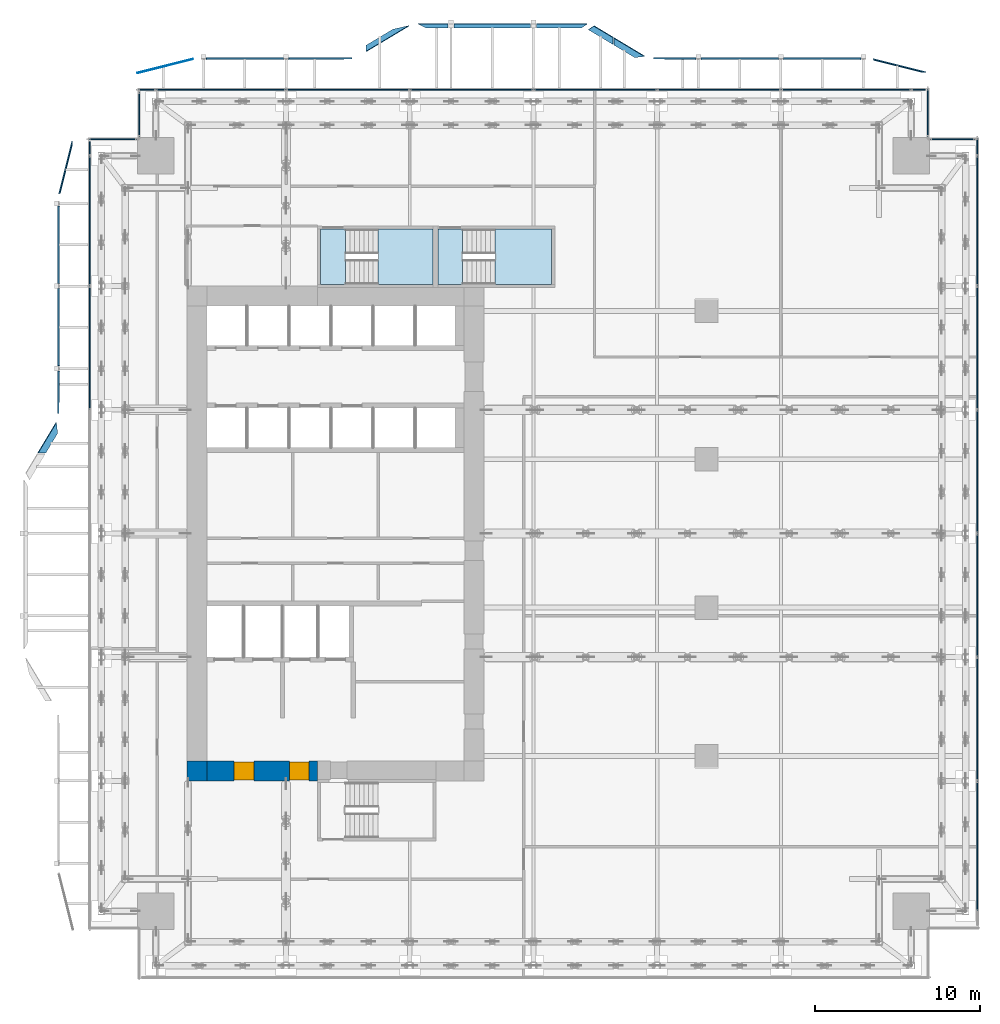
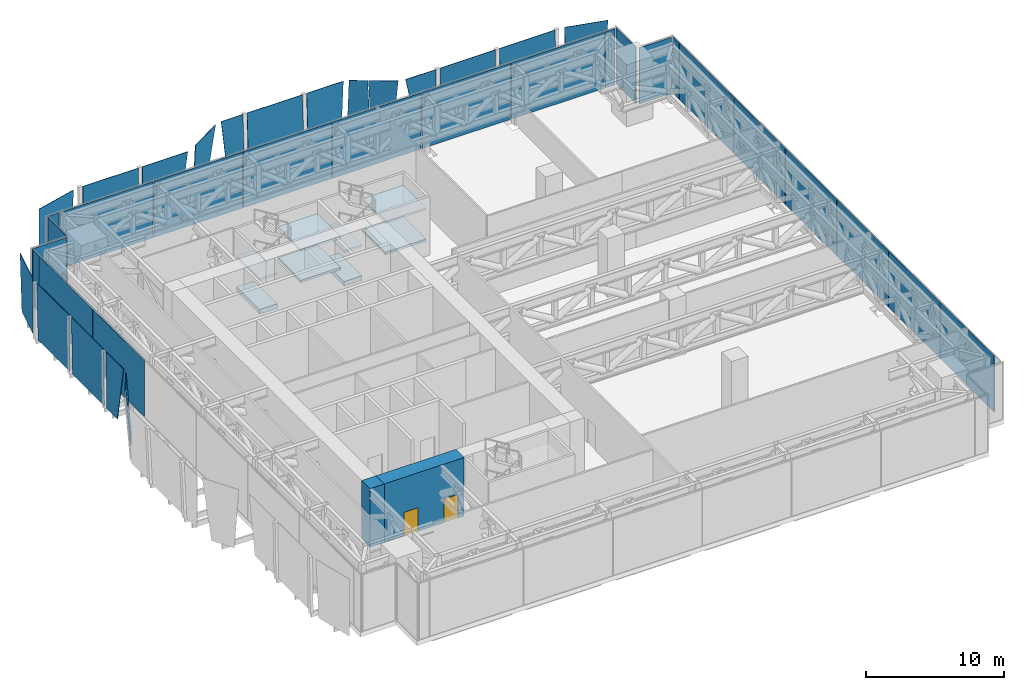
# One storey, part 29 of 39: 40 plates, 8 slabs, 2 doors, 2 walls, 2 openings, 9 elements without a shape of their own.
"""IFC4 building model written with IfcOpenShell, lengths in metres."""

from ifc_helpers import new_model, si_unit, direction, frame, frame_2d, origin, origin_2d, place, context, subcontext, project, spatial, polyline, rectangle, outline, extrude, source, transform, mapped, material, layer, layer_set, type_object, element, fill, aggregate, save


model = new_model("IFC4")

# Units and contexts
model_context = context("Model", 3, precision=1e-05, world=origin(), true_north=direction((0.0, 1.0)))
body_context = subcontext(model_context, "Body", "Model", "MODEL_VIEW")
ifc_project = project(units=[si_unit("LENGTHUNIT", "METRE"), si_unit("AREAUNIT", "SQUARE_METRE"), si_unit("VOLUMEUNIT", "CUBIC_METRE"), si_unit("PLANEANGLEUNIT", "RADIAN"), si_unit("MASSUNIT", "GRAM", prefix="KILO")], contexts=[model_context])

# Site, building, storey
site_placement = place(None, origin())
site = spatial("IfcSite", under=ifc_project, at=site_placement, CompositionType="ELEMENT")
building_placement = place(site_placement, origin())
building = spatial("IfcBuilding", under=site, at=building_placement, Name="Khomas Fold Tower", CompositionType="ELEMENT")
storey_placement = place(building_placement, frame((0.0, 0.0, 96.0)))
storey = spatial("IfcBuildingStorey", under=building, at=storey_placement, Name="L20", CompositionType="ELEMENT", Elevation=96.0)

# Plates
ifc_material_1 = material(Name="Clear laminated glass", Category="glass")
ifc_layer_1 = layer(ifc_material_1, 0.0400390625)
ifc_layer_set_1 = layer_set([ifc_layer_1], Name="Clear laminated glass")
plate_type_1 = type_object("IfcPlateType", Name="SK-Clear laminated glass leaf", PredefinedType="SHEET", material=ifc_layer_set_1)
plate_1_placement = place(storey_placement, frame((6.110595703125, 55.677734375, 0.0), z_axis=(0.242595764468, -0.970127463298, 4.183564e-06), x_axis=(-0.970127463306, -0.24259576447, 2.8e-11)))
element("IfcPlate", 1, at=plate_1_placement, inside=storey, type_object=plate_type_1, Name="OUTER SKIN glass L20 NG098-1", PredefinedType="SHEET", context=body_context, shape_type="SweptSolid", body=[
    extrude(outline(polyline([(0.0, 0.0), (3.20637307509464, 0.0), (3.20637307523385, -5.050048828080807), (-0.27356313476065447, -5.050048828265122), (0.0, 0.0)])), origin(), (0.0, 0.0, -1.0), 0.0400390625),
])
plate_2_placement = place(storey_placement, frame((7.169921875, 55.727783203125, 0.0), z_axis=(0.0, -0.999913554887, 0.013148488612), x_axis=(0.0, 0.013148488612, 0.999913554887)))
element("IfcPlate", 2, at=plate_2_placement, inside=storey, type_object=plate_type_1, Name="OUTER SKIN glass L20 NG099-3", PredefinedType="SHEET", context=body_context, shape_type="SweptSolid", body=[
    extrude(outline(polyline([(0.0, 0.0), (5.050485417906456, 0.0), (5.050485417906456, -4.66015625), (0.0, -4.66015625), (0.0, 0.0)])), origin(), (0.0, 0.0, -1.0), 0.0400390625),
])
plate_3_placement = place(storey_placement, frame((15.27978515625, 55.727783203125, 0.0), z_axis=(0.0, -0.999913554887, 0.013148488612), x_axis=(-1.0, 0.0, 0.0)))
element("IfcPlate", 3, at=plate_3_placement, inside=storey, type_object=plate_type_1, Name="OUTER SKIN glass L20 NG100-5", PredefinedType="SHEET", context=body_context, shape_type="SweptSolid", body=[
    extrude(outline(polyline([(0.0, 0.0), (3.10986328125, 0.0), (3.10986328125, -5.050485417906455), (-0.7119140625, -5.050485417906455), (0.0, 0.0)])), origin(), (0.0, 0.0, -1.0), 0.0400390625),
])
plate_4_placement = place(storey_placement, frame((18.4765625, 57.571044921875, 0.00244140625), z_axis=(-0.513467584892, 0.85592770919, 0.061145694088), x_axis=(-0.857532344545, -0.514430051663, -2.064942e-06)))
element("IfcPlate", 4, at=plate_4_placement, inside=storey, type_object=plate_type_1, Name="OUTER SKIN glass L20 NG101-6", PredefinedType="SHEET", context=body_context, shape_type="SweptSolid", body=[
    extrude(outline(polyline([(0.0, 0.0), (1.897496197007953, 0.0), (2.083112628410441, 5.059520243617111), (-0.9455791857957416, 5.059510052253078), (0.0, 0.0)])), origin(), (0.0, 0.0, -1.0), 0.0400390625),
])
plate_5_placement = place(storey_placement, frame((20.457763671875, 57.6591796875, 0.0), z_axis=(0.0, -0.999042164286, 0.043757901902), x_axis=(-0.090428052665, 0.04357862538, 0.994949079451)))
element("IfcPlate", 5, at=plate_5_placement, inside=storey, type_object=plate_type_1, Name="OUTER SKIN glass L20 NG101-7", PredefinedType="SHEET", context=body_context, shape_type="SweptSolid", body=[
    extrude(outline(polyline([(0.0, 0.0), (5.075685713392791, 5.551115123125783e-17), (4.910084926518354, -1.8237959801684416), (-0.12409572363967629, -1.3666920683277977), (0.0, 0.0)])), origin(), (0.0, 0.0, -1.0), 0.0400390625),
])
plate_6_placement = place(storey_placement, frame((22.169921875, 57.6591796875, 0.0), z_axis=(0.0, -0.999042164286, 0.043757901902), x_axis=(0.0, 0.043757901902, 0.999042164286)))
element("IfcPlate", 6, at=plate_6_placement, inside=storey, type_object=plate_type_1, Name="OUTER SKIN glass L20 NG102-9", PredefinedType="SHEET", context=body_context, shape_type="SweptSolid", body=[
    extrude(outline(polyline([(0.0, 0.0), (5.054890582855927, 0.0), (5.054890582855927, -4.660156249999999), (0.0, -4.660156249999999), (0.0, 0.0)])), origin(), (0.0, 0.0, -1.0), 0.0400390625),
])
plate_7_placement = place(storey_placement, frame((29.925048828125, 57.6591796875, 0.0), z_axis=(0.0, -0.999042164286, 0.043757901902), x_axis=(-1.0, 0.0, 0.0)))
element("IfcPlate", 7, at=plate_7_placement, inside=storey, type_object=plate_type_1, Name="OUTER SKIN glass L20 NG103-11", PredefinedType="SHEET", context=body_context, shape_type="SweptSolid", body=[
    extrude(outline(polyline([(0.0, 0.0), (2.755126953125, 0.0), (2.755126953125, -5.054890582855927), (-0.332275390625, -5.054890582855927), (0.0, 0.0)])), origin(), (0.0, 0.0, -1.0), 0.0400390625),
])
plate_8_placement = place(storey_placement, frame((30.325927734375, 57.538818359375, 0.0), z_axis=(-0.513154961352, -0.855336303433, 0.071216526658), x_axis=(0.06558633584, 0.043654406503, 0.996891531383)))
element("IfcPlate", 8, at=plate_8_placement, inside=storey, type_object=plate_type_1, Name="OUTER SKIN glass L20 NG103-12", PredefinedType="SHEET", context=body_context, shape_type="SweptSolid", body=[
    extrude(outline(polyline([(0.0, 0.0), (5.065799614754816, -5.551115123125783e-17), (5.111964097494814, -1.3658494129196121), (0.05926043180535483, -1.7530490121480193), (0.0, 0.0)])), origin(), (0.0, 0.0, -1.0), 0.0400390625),
])
plate_9_placement = place(storey_placement, frame((33.14306640625, 55.8486328125, 0.0), z_axis=(-0.513208805666, -0.855303621897, 0.071221037326), x_axis=(-0.857481352894, 0.514515042936, -5.633946e-06)))
element("IfcPlate", 9, at=plate_9_placement, inside=storey, type_object=plate_type_1, Name="OUTER SKIN glass L20 NG104-13", PredefinedType="SHEET", context=body_context, shape_type="SweptSolid", body=[
    extrude(outline(polyline([(0.0, 0.0), (1.4844508858136767, -6.938893903907228e-18), (1.7008553977315604, -5.06291539306736), (-0.47218575996703405, -5.062894734495128), (0.0, 0.0)])), origin(), (0.0, 0.0, -1.0), 0.0400390625),
])
plate_10_placement = place(storey_placement, frame((35.26806640625, 55.727783203125, 0.0), z_axis=(0.0, -0.999913554887, 0.013148488612), x_axis=(-0.192129710305, 0.012903526223, 0.981284705592)))
element("IfcPlate", 10, at=plate_10_placement, inside=storey, type_object=plate_type_1, Name="OUTER SKIN glass L20 NG104-14", PredefinedType="SHEET", context=body_context, shape_type="SweptSolid", body=[
    extrude(outline(polyline([(0.0, 0.0), (5.146364555918488, 0.0), (4.65628369330582, -2.5032590224450177), (-0.300108859015682, -1.5329107222055154), (0.0, 0.0)])), origin(), (0.0, 0.0, -1.0), 0.0400390625),
])
for number, where, z_axis, x_axis, name in (
    (11, (37.169921875, 55.727783203125, 0.0), (0.0, -0.999913554887, 0.013148488612), (0.0, 0.013148488612, 0.999913554887), "OUTER SKIN glass L20 NG105-16"),
    (12, (42.169921875, 55.727783203125, 0.0), (0.0, -0.999913554887, 0.013148488612), (0.0, 0.013148488612, 0.999913554887), "OUTER SKIN glass L20 NG106-18"),
):
    element("IfcPlate", number, at=place(storey_placement, frame(where, z_axis=z_axis, x_axis=x_axis)), inside=storey, type_object=plate_type_1, Name=name, PredefinedType="SHEET", context=body_context, shape_type="SweptSolid", body=[
        extrude(outline(polyline([(0.0, 0.0), (5.050485417906456, 0.0), (5.050485417906456, -4.66015625), (0.0, -4.66015625), (0.0, 0.0)])), origin(), (0.0, 0.0, -1.0), 0.0400390625),
    ])
plate_11_placement = place(storey_placement, frame((50.5107421875, 54.949951171875, 0.0), z_axis=(-0.242561682391, -0.970052182178, 0.012751238635), x_axis=(-0.970131054475, 0.242581403127, -9.8389e-08)))
element("IfcPlate", 13, at=plate_11_placement, inside=storey, type_object=plate_type_1, Name="OUTER SKIN glass L20 NG107-20", PredefinedType="SHEET", context=body_context, shape_type="SweptSolid", body=[
    extrude(outline(polyline([(0.0, 0.0), (3.000253318890006, -1.734723475976807e-18), (3.0163617433234204, -5.050459729035773), (-0.25745470981095847, -5.050459111687721), (0.0, 0.0)])), origin(), (0.0, 0.0, -1.0), 0.0400390625),
])
plate_12_placement = place(storey_placement, frame((-1.8486328125, 33.07373046875, 0.0), z_axis=(0.854851437268, -0.513033597671, 0.077624402492), x_axis=(-0.514586497345, -0.857438474025, 3.371918e-06)))
element("IfcPlate", 14, at=plate_12_placement, inside=storey, type_object=plate_type_1, Name="OUTER SKIN glass L20 WG104-13", PredefinedType="SHEET", context=body_context, shape_type="SweptSolid", body=[
    extrude(outline(polyline([(0.0, 0.0), (1.403767852194478, 1.3877787807814457e-17), (1.6397207794727828, -5.065327042434789), (-0.5262025194262356, -5.065339115568225), (0.0, 0.0)])), origin(), (0.0, 0.0, -1.0), 0.0400390625),
])
plate_13_placement = place(storey_placement, frame((-1.727783203125, 35.26806640625, 0.0), z_axis=(0.999913554887, 0.0, 0.013148488612), x_axis=(-0.012903526223, -0.192129710305, 0.981284705592)))
element("IfcPlate", 15, at=plate_13_placement, inside=storey, type_object=plate_type_1, Name="OUTER SKIN glass L20 WG104-14", PredefinedType="SHEET", context=body_context, shape_type="SweptSolid", body=[
    extrude(outline(polyline([(0.0, 0.0), (5.146364555918488, 0.0), (4.65628369330582, -2.5032590224450177), (-0.300108859015682, -1.5329107222055154), (0.0, 0.0)])), origin(), (0.0, 0.0, -1.0), 0.0400390625),
])
for number, where, z_axis, x_axis, name in (
    (16, (-1.727783203125, 37.169921875, 0.0), (0.999913554887, 0.0, 0.013148488612), (-0.013148488612, 0.0, 0.999913554887), "OUTER SKIN glass L20 WG105-16"),
    (17, (-1.727783203125, 42.169921875, 0.0), (0.999913554887, 0.0, 0.013148488612), (-0.013148488612, 0.0, 0.999913554887), "OUTER SKIN glass L20 WG106-18"),
):
    element("IfcPlate", number, at=place(storey_placement, frame(where, z_axis=z_axis, x_axis=x_axis)), inside=storey, type_object=plate_type_1, Name=name, PredefinedType="SHEET", context=body_context, shape_type="SweptSolid", body=[
        extrude(outline(polyline([(0.0, 0.0), (5.050485417906456, 0.0), (5.050485417906456, -4.66015625), (0.0, -4.66015625), (0.0, 0.0)])), origin(), (0.0, 0.0, -1.0), 0.0400390625),
    ])
plate_14_placement = place(storey_placement, frame((-0.949951171875, 50.5107421875, 0.0), z_axis=(0.970052182178, -0.242561682391, 0.012751238635), x_axis=(-0.242581403127, -0.970131054475, -9.8389e-08)))
element("IfcPlate", 18, at=plate_14_placement, inside=storey, type_object=plate_type_1, Name="OUTER SKIN glass L20 WG107-20", PredefinedType="SHEET", context=body_context, shape_type="SweptSolid", body=[
    extrude(outline(polyline([(0.0, 0.0), (3.000253318890006, -1.734723475976807e-18), (3.0163617433234204, -5.050459729035773), (-0.25745470981095847, -5.050459111687721), (0.0, 0.0)])), origin(), (0.0, 0.0, -1.0), 0.0400390625),
])

# Curtain wall, plate
ifc_material_2 = material(Name="Aluminium framed double glazing", Category="aluminium")
curtain_wall_type = type_object("IfcCurtainWallType", Name="SK-Plant louvre wall CW4", PredefinedType="NOTDEFINED", material=ifc_material_2)
curtain_wall_1_placement = place(storey_placement, origin())
curtain_wall_1 = element("IfcCurtainWall", 19, at=curtain_wall_1_placement, inside=storey, type_object=curtain_wall_type, Name="CW4 run L20 06-0", PredefinedType="NOTDEFINED")
ifc_material_3 = material(Name="Aluminium louvre blades", Category="aluminium")
ifc_layer_2 = layer(ifc_material_3, 0.080078125)
ifc_layer_set_2 = layer_set([ifc_layer_2], Name="Aluminium louvre blades")
plate_type_2 = type_object("IfcPlateType", Name="SK-Plant louvre wall louvre panel CW4-P", PredefinedType="CURTAIN_PANEL", material=ifc_layer_set_2)
shared_shape_1 = source(origin(), body_context, "Body", "SweptSolid", [
    extrude(rectangle(XDim=0.81005859375, YDim=0.080078125, at=origin_2d()), origin(), (0.0, 0.0, 1.0), 4.97998046875),
])
plate_15_placement = place(storey_placement, frame((50.3349609375, 53.89990234375, 0.0), z_axis=(0.0, 0.0, 1.0), x_axis=(-1.0, 0.0, 0.0)))
plate_15 = element("IfcPlate", 20, at=plate_15_placement, type_object=plate_type_2, Name="CW4 louvre panel 1", PredefinedType="CURTAIN_PANEL", context=body_context, shape_type="MappedRepresentation", body=[
    mapped(shared_shape_1, transform((0.0, 0.0, 0.0))),
])

curtain_wall_2_placement = place(storey_placement, origin())
curtain_wall_2 = element("IfcCurtainWall", 21, at=curtain_wall_2_placement, inside=storey, type_object=curtain_wall_type, Name="CW4 run L20 09-0", PredefinedType="NOTDEFINED")
plate_16_placement = place(storey_placement, frame((0.10009765625, 50.3349609375, 0.0), z_axis=(0.0, 0.0, 1.0), x_axis=(0.0, -1.0, 0.0)))
plate_16 = element("IfcPlate", 22, at=plate_16_placement, type_object=plate_type_2, Name="CW4 louvre panel 1", PredefinedType="CURTAIN_PANEL", context=body_context, shape_type="MappedRepresentation", body=[
    mapped(shared_shape_1, transform((0.0, 0.0, 0.0))),
])

# Curtain wall, plates
curtain_wall_3_placement = place(storey_placement, origin())
curtain_wall_3 = element("IfcCurtainWall", 23, at=curtain_wall_3_placement, inside=storey, type_object=curtain_wall_type, Name="CW4 run L20 03-0", PredefinedType="NOTDEFINED")
shared_shape_2 = source(origin(), body_context, "Body", "SweptSolid", [
    extrude(rectangle(XDim=7.840087890625, YDim=0.080078125, at=origin_2d()), origin(), (0.0, 0.0, 1.0), 4.97998046875),
])
plate_17_placement = place(storey_placement, frame((53.89990234375, 8.050048828125, 0.0), z_axis=(0.0, 0.0, 1.0), x_axis=(0.0, 1.0, 0.0)))
plate_17 = element("IfcPlate", 24, at=plate_17_placement, type_object=plate_type_2, Name="CW4 louvre panel 2", PredefinedType="CURTAIN_PANEL", context=body_context, shape_type="MappedRepresentation", body=[
    mapped(shared_shape_2, transform((0.0, 0.0, 0.0))),
])
plate_18_placement = place(storey_placement, frame((53.89990234375, 45.949951171875, 0.0), z_axis=(0.0, 0.0, 1.0), x_axis=(0.0, 1.0, 0.0)))
plate_18 = element("IfcPlate", 25, at=plate_18_placement, type_object=plate_type_2, Name="CW4 louvre panel 7", PredefinedType="CURTAIN_PANEL", context=body_context, shape_type="MappedRepresentation", body=[
    mapped(shared_shape_2, transform((0.0, 0.0, 0.0))),
])

# Plate
plate_19_placement = place(storey_placement, frame((45.949951171875, 53.89990234375, 0.0), z_axis=(0.0, 0.0, 1.0), x_axis=(-1.0, 0.0, 0.0)))
plate_19 = element("IfcPlate", 26, at=plate_19_placement, type_object=plate_type_2, Name="CW4 louvre panel 2", PredefinedType="CURTAIN_PANEL", context=body_context, shape_type="MappedRepresentation", body=[
    mapped(shared_shape_2, transform((0.0, 0.0, 0.0))),
])

plate_20_placement = place(storey_placement, frame((8.050048828125, 53.89990234375, 0.0), z_axis=(0.0, 0.0, 1.0), x_axis=(-1.0, 0.0, 0.0)))
plate_20 = element("IfcPlate", 27, at=plate_20_placement, type_object=plate_type_2, Name="CW4 louvre panel 7", PredefinedType="CURTAIN_PANEL", context=body_context, shape_type="MappedRepresentation", body=[
    mapped(shared_shape_2, transform((0.0, 0.0, 0.0))),
])

plate_21_placement = place(storey_placement, frame((0.10009765625, 45.949951171875, 0.0), z_axis=(0.0, 0.0, 1.0), x_axis=(0.0, -1.0, 0.0)))
plate_21 = element("IfcPlate", 28, at=plate_21_placement, type_object=plate_type_2, Name="CW4 louvre panel 2", PredefinedType="CURTAIN_PANEL", context=body_context, shape_type="MappedRepresentation", body=[
    mapped(shared_shape_2, transform((0.0, 0.0, 0.0))),
])

shared_shape_3 = source(origin(), body_context, "Body", "SweptSolid", [
    extrude(rectangle(XDim=7.43994140625, YDim=0.080078125, at=origin_2d()), origin(), (0.0, 0.0, 1.0), 4.97998046875),
])
plate_22_placement = place(storey_placement, frame((53.89990234375, 15.75, 0.0), z_axis=(0.0, 0.0, 1.0), x_axis=(0.0, 1.0, 0.0)))
plate_22 = element("IfcPlate", 29, at=plate_22_placement, type_object=plate_type_2, Name="CW4 louvre panel 3", PredefinedType="CURTAIN_PANEL", context=body_context, shape_type="MappedRepresentation", body=[
    mapped(shared_shape_3, transform((0.0, 0.0, 0.0))),
])

plate_23_placement = place(storey_placement, frame((53.89990234375, 23.25, 0.0), z_axis=(0.0, 0.0, 1.0), x_axis=(0.0, 1.0, 0.0)))
plate_23 = element("IfcPlate", 30, at=plate_23_placement, type_object=plate_type_2, Name="CW4 louvre panel 4", PredefinedType="CURTAIN_PANEL", context=body_context, shape_type="MappedRepresentation", body=[
    mapped(shared_shape_3, transform((0.0, 0.0, 0.0))),
])

plate_24_placement = place(storey_placement, frame((53.89990234375, 30.75, 0.0), z_axis=(0.0, 0.0, 1.0), x_axis=(0.0, 1.0, 0.0)))
plate_24 = element("IfcPlate", 31, at=plate_24_placement, type_object=plate_type_2, Name="CW4 louvre panel 5", PredefinedType="CURTAIN_PANEL", context=body_context, shape_type="MappedRepresentation", body=[
    mapped(shared_shape_3, transform((0.0, 0.0, 0.0))),
])

plate_25_placement = place(storey_placement, frame((53.89990234375, 38.25, 0.0), z_axis=(0.0, 0.0, 1.0), x_axis=(0.0, 1.0, 0.0)))
plate_25 = element("IfcPlate", 32, at=plate_25_placement, type_object=plate_type_2, Name="CW4 louvre panel 6", PredefinedType="CURTAIN_PANEL", context=body_context, shape_type="MappedRepresentation", body=[
    mapped(shared_shape_3, transform((0.0, 0.0, 0.0))),
])

plate_26_placement = place(storey_placement, frame((38.25, 53.89990234375, 0.0), z_axis=(0.0, 0.0, 1.0), x_axis=(-1.0, 0.0, 0.0)))
plate_26 = element("IfcPlate", 33, at=plate_26_placement, type_object=plate_type_2, Name="CW4 louvre panel 3", PredefinedType="CURTAIN_PANEL", context=body_context, shape_type="MappedRepresentation", body=[
    mapped(shared_shape_3, transform((0.0, 0.0, 0.0))),
])

plate_27_placement = place(storey_placement, frame((30.75, 53.89990234375, 0.0), z_axis=(0.0, 0.0, 1.0), x_axis=(-1.0, 0.0, 0.0)))
plate_27 = element("IfcPlate", 34, at=plate_27_placement, type_object=plate_type_2, Name="CW4 louvre panel 4", PredefinedType="CURTAIN_PANEL", context=body_context, shape_type="MappedRepresentation", body=[
    mapped(shared_shape_3, transform((0.0, 0.0, 0.0))),
])

plate_28_placement = place(storey_placement, frame((23.25, 53.89990234375, 0.0), z_axis=(0.0, 0.0, 1.0), x_axis=(-1.0, 0.0, 0.0)))
plate_28 = element("IfcPlate", 35, at=plate_28_placement, type_object=plate_type_2, Name="CW4 louvre panel 5", PredefinedType="CURTAIN_PANEL", context=body_context, shape_type="MappedRepresentation", body=[
    mapped(shared_shape_3, transform((0.0, 0.0, 0.0))),
])

plate_29_placement = place(storey_placement, frame((15.75, 53.89990234375, 0.0), z_axis=(0.0, 0.0, 1.0), x_axis=(-1.0, 0.0, 0.0)))
plate_29 = element("IfcPlate", 36, at=plate_29_placement, type_object=plate_type_2, Name="CW4 louvre panel 6", PredefinedType="CURTAIN_PANEL", context=body_context, shape_type="MappedRepresentation", body=[
    mapped(shared_shape_3, transform((0.0, 0.0, 0.0))),
])

plate_30_placement = place(storey_placement, frame((0.10009765625, 38.25, 0.0), z_axis=(0.0, 0.0, 1.0), x_axis=(0.0, -1.0, 0.0)))
plate_30 = element("IfcPlate", 37, at=plate_30_placement, type_object=plate_type_2, Name="CW4 louvre panel 3", PredefinedType="CURTAIN_PANEL", context=body_context, shape_type="MappedRepresentation", body=[
    mapped(shared_shape_3, transform((0.0, 0.0, 0.0))),
])

aggregate(curtain_wall_2, [plate_16, plate_21, plate_30])

shared_shape_4 = source(origin(), body_context, "Body", "SweptSolid", [
    extrude(rectangle(XDim=1.010009765625, YDim=0.080078125, at=origin_2d()), origin(), (0.0, 0.0, 1.0), 4.97998046875),
])
plate_31_placement = place(storey_placement, frame((53.89990234375, 50.43505859375, 0.0), z_axis=(0.0, 0.0, 1.0), x_axis=(0.0, 1.0, 0.0)))
plate_31 = element("IfcPlate", 38, at=plate_31_placement, type_object=plate_type_2, Name="CW4 louvre panel 8", PredefinedType="CURTAIN_PANEL", context=body_context, shape_type="MappedRepresentation", body=[
    mapped(shared_shape_4, transform((0.0, 0.0, 0.0))),
])

aggregate(curtain_wall_3, [plate_17, plate_22, plate_23, plate_24, plate_25, plate_18, plate_31])

plate_32_placement = place(storey_placement, frame((3.56494140625, 53.89990234375, 0.0), z_axis=(0.0, 0.0, 1.0), x_axis=(-1.0, 0.0, 0.0)))
plate_32 = element("IfcPlate", 39, at=plate_32_placement, type_object=plate_type_2, Name="CW4 louvre panel 8", PredefinedType="CURTAIN_PANEL", context=body_context, shape_type="MappedRepresentation", body=[
    mapped(shared_shape_4, transform((0.0, 0.0, 0.0))),
])

aggregate(curtain_wall_1, [plate_15, plate_19, plate_26, plate_27, plate_28, plate_29, plate_20, plate_32])

# Curtain wall, plate
curtain_wall_4_placement = place(storey_placement, origin())
curtain_wall_4 = element("IfcCurtainWall", 40, at=curtain_wall_4_placement, inside=storey, type_object=curtain_wall_type, Name="CW4 corner return L20 04", PredefinedType="NOTDEFINED")
shared_shape_5 = source(origin(), body_context, "Body", "SweptSolid", [
    extrude(rectangle(XDim=2.679931640625, YDim=0.080078125, at=origin_2d()), origin(), (0.0, 0.0, 1.0), 4.97998046875),
])
plate_33_placement = place(storey_placement, frame((52.39990234375, 50.89990234375, 0.0), z_axis=(0.0, 0.0, 1.0), x_axis=(-1.0, 0.0, 0.0)))
plate_33 = element("IfcPlate", 41, at=plate_33_placement, type_object=plate_type_2, Name="CW4 louvre panel 1", PredefinedType="CURTAIN_PANEL", context=body_context, shape_type="MappedRepresentation", body=[
    mapped(shared_shape_5, transform((0.0, 0.0, 0.0))),
])
aggregate(curtain_wall_4, [plate_33])

curtain_wall_5_placement = place(storey_placement, origin())
curtain_wall_5 = element("IfcCurtainWall", 42, at=curtain_wall_5_placement, inside=storey, type_object=curtain_wall_type, Name="CW4 corner return L20 07", PredefinedType="NOTDEFINED")
plate_34_placement = place(storey_placement, frame((3.10009765625, 52.39990234375, 0.0), z_axis=(0.0, 0.0, 1.0), x_axis=(0.0, -1.0, 0.0)))
plate_34 = element("IfcPlate", 43, at=plate_34_placement, type_object=plate_type_2, Name="CW4 louvre panel 1", PredefinedType="CURTAIN_PANEL", context=body_context, shape_type="MappedRepresentation", body=[
    mapped(shared_shape_5, transform((0.0, 0.0, 0.0))),
])
aggregate(curtain_wall_5, [plate_34])

curtain_wall_6_placement = place(storey_placement, origin())
curtain_wall_6 = element("IfcCurtainWall", 44, at=curtain_wall_6_placement, inside=storey, type_object=curtain_wall_type, Name="CW4 corner return L20 05", PredefinedType="NOTDEFINED")
shared_shape_6 = source(origin(), body_context, "Body", "SweptSolid", [
    extrude(rectangle(XDim=2.8798828125, YDim=0.080078125, at=origin_2d()), origin(), (0.0, 0.0, 1.0), 4.97998046875),
])
plate_35_placement = place(storey_placement, frame((50.89990234375, 52.5, 0.0), z_axis=(0.0, 0.0, 1.0), x_axis=(0.0, 1.0, 0.0)))
plate_35 = element("IfcPlate", 45, at=plate_35_placement, type_object=plate_type_2, Name="CW4 louvre panel 1", PredefinedType="CURTAIN_PANEL", context=body_context, shape_type="MappedRepresentation", body=[
    mapped(shared_shape_6, transform((0.0, 0.0, 0.0))),
])
aggregate(curtain_wall_6, [plate_35])

curtain_wall_7_placement = place(storey_placement, origin())
curtain_wall_7 = element("IfcCurtainWall", 46, at=curtain_wall_7_placement, inside=storey, type_object=curtain_wall_type, Name="CW4 corner return L20 08", PredefinedType="NOTDEFINED")
plate_36_placement = place(storey_placement, frame((1.5, 50.89990234375, 0.0), z_axis=(0.0, 0.0, 1.0), x_axis=(-1.0, 0.0, 0.0)))
plate_36 = element("IfcPlate", 47, at=plate_36_placement, type_object=plate_type_2, Name="CW4 louvre panel 1", PredefinedType="CURTAIN_PANEL", context=body_context, shape_type="MappedRepresentation", body=[
    mapped(shared_shape_6, transform((0.0, 0.0, 0.0))),
])
aggregate(curtain_wall_7, [plate_36])

# Stair, slabs
ifc_material_4 = material(Name="Concrete C40/50", Category="concrete")
stair_type_1 = type_object("IfcStairType", Name="Stair ST1", PredefinedType="HALF_TURN_STAIR", material=ifc_material_4)
stair_1_placement = place(storey_placement, origin())
stair_1 = element("IfcStair", 48, at=stair_1_placement, inside=storey, type_object=stair_type_1, Name="L20 ST1", PredefinedType="HALF_TURN_STAIR")
ifc_material_5 = material(Name="Concrete C40/50", Category="concrete")
ifc_layer_3 = layer(ifc_material_5, 0.199951171875)
ifc_layer_set_3 = layer_set([ifc_layer_3], Name="Concrete C40/50")
slab_type_1 = type_object("IfcSlabType", Name="Stair landing 200", PredefinedType="LANDING", material=ifc_layer_set_3)
shared_shape_7 = source(origin(), body_context, "Body", "SweptSolid", [
    extrude(outline(polyline([(14.10009765625, 42.10009765625), (15.60009765625, 42.10009765625), (15.60009765625, 45.449951171875), (14.10009765625, 45.449951171875), (14.10009765625, 42.10009765625)])), origin(), (0.0, 0.0, 1.0), 0.199951171875),
])
slab_1_placement = place(storey_placement, frame((0.0, 0.0, 2.550048828125)))
slab_1 = element("IfcSlab", 49, at=slab_1_placement, type_object=slab_type_1, Name="ST1 landing 2", PredefinedType="LANDING", context=body_context, shape_type="MappedRepresentation", body=[
    mapped(shared_shape_7, transform((0.0, 0.0, 0.0))),
])
shared_shape_8 = source(origin(), body_context, "Body", "SweptSolid", [
    extrude(outline(polyline([(17.56005859375, 42.10009765625), (20.89990234375, 42.10009765625), (20.89990234375, 45.449951171875), (17.56005859375, 45.449951171875), (17.56005859375, 42.10009765625)])), origin(), (0.0, 0.0, 1.0), 0.199951171875),
])
slab_2_placement = place(storey_placement, frame((0.0, 0.0, 1.175048828125)))
slab_2 = element("IfcSlab", 50, at=slab_2_placement, type_object=slab_type_1, Name="ST1 landing 1", PredefinedType="LANDING", context=body_context, shape_type="MappedRepresentation", body=[
    mapped(shared_shape_8, transform((0.0, 0.0, 0.0))),
])
slab_3_placement = place(storey_placement, frame((0.0, 0.0, 3.925048828125)))
slab_3 = element("IfcSlab", 51, at=slab_3_placement, type_object=slab_type_1, Name="ST1 landing 3", PredefinedType="LANDING", context=body_context, shape_type="MappedRepresentation", body=[
    mapped(shared_shape_8, transform((0.0, 0.0, 0.0))),
])
aggregate(stair_1, [slab_2, slab_1, slab_3])

# Slab
ifc_material_6 = material(Name="Concrete C40/50", Category="concrete")
ifc_layer_4 = layer(ifc_material_6, 0.39990234375)
ifc_layer_set_4 = layer_set([ifc_layer_4], Name="Concrete C40/50")
slab_type_2 = type_object("IfcSlabType", Name="Stair floor landing 400", PredefinedType="LANDING", material=ifc_layer_set_4)
shared_shape_9 = source(origin(), body_context, "Body", "SweptSolid", [
    extrude(outline(polyline([(14.10009765625, 45.449951171875), (15.60009765625, 45.449951171875), (15.60009765625, 42.10009765625), (14.10009765625, 42.10009765625), (14.10009765625, 45.449951171875)])), origin(), (0.0, 0.0, 1.0), 0.39990234375),
])
slab_4_placement = place(storey_placement, frame((0.0, 0.0, -0.39990234375)))
element("IfcSlab", 52, at=slab_4_placement, inside=storey, type_object=slab_type_2, Name="ST1 floor landing", PredefinedType="LANDING", context=body_context, shape_type="MappedRepresentation", body=[
    mapped(shared_shape_9, transform((0.0, 0.0, 0.0))),
])

# Stair, slabs
ifc_material_7 = material(Name="Concrete C40/50", Category="concrete")
stair_type_2 = type_object("IfcStairType", Name="Stair ST3", PredefinedType="HALF_TURN_STAIR", material=ifc_material_7)
stair_2_placement = place(storey_placement, origin())
stair_2 = element("IfcStair", 53, at=stair_2_placement, inside=storey, type_object=stair_type_2, Name="L20 ST3", PredefinedType="HALF_TURN_STAIR")
shared_shape_10 = source(origin(), body_context, "Body", "SweptSolid", [
    extrude(outline(polyline([(21.199951171875, 42.10009765625), (22.699951171875, 42.10009765625), (22.699951171875, 45.449951171875), (21.199951171875, 45.449951171875), (21.199951171875, 42.10009765625)])), origin(), (0.0, 0.0, 1.0), 0.199951171875),
])
slab_5_placement = place(storey_placement, frame((0.0, 0.0, 2.550048828125)))
slab_5 = element("IfcSlab", 54, at=slab_5_placement, type_object=slab_type_1, Name="ST3 landing 2", PredefinedType="LANDING", context=body_context, shape_type="MappedRepresentation", body=[
    mapped(shared_shape_10, transform((0.0, 0.0, 0.0))),
])
shared_shape_11 = source(origin(), body_context, "Body", "SweptSolid", [
    extrude(outline(polyline([(24.659912109375, 42.10009765625), (28.10009765625, 42.10009765625), (28.10009765625, 45.449951171875), (24.659912109375, 45.449951171875), (24.659912109375, 42.10009765625)])), origin(), (0.0, 0.0, 1.0), 0.199951171875),
])
slab_6_placement = place(storey_placement, frame((0.0, 0.0, 1.175048828125)))
slab_6 = element("IfcSlab", 55, at=slab_6_placement, type_object=slab_type_1, Name="ST3 landing 1", PredefinedType="LANDING", context=body_context, shape_type="MappedRepresentation", body=[
    mapped(shared_shape_11, transform((0.0, 0.0, 0.0))),
])
slab_7_placement = place(storey_placement, frame((0.0, 0.0, 3.925048828125)))
slab_7 = element("IfcSlab", 56, at=slab_7_placement, type_object=slab_type_1, Name="ST3 landing 3", PredefinedType="LANDING", context=body_context, shape_type="MappedRepresentation", body=[
    mapped(shared_shape_11, transform((0.0, 0.0, 0.0))),
])
aggregate(stair_2, [slab_6, slab_5, slab_7])

# Slab
shared_shape_12 = source(origin(), body_context, "Body", "SweptSolid", [
    extrude(outline(polyline([(21.199951171875, 45.449951171875), (22.699951171875, 45.449951171875), (22.699951171875, 42.10009765625), (21.199951171875, 42.10009765625), (21.199951171875, 45.449951171875)])), origin(), (0.0, 0.0, 1.0), 0.39990234375),
])
slab_8_placement = place(storey_placement, frame((0.0, 0.0, -0.39990234375)))
element("IfcSlab", 57, at=slab_8_placement, inside=storey, type_object=slab_type_2, Name="ST3 floor landing", PredefinedType="LANDING", context=body_context, shape_type="MappedRepresentation", body=[
    mapped(shared_shape_12, transform((0.0, 0.0, 0.0))),
])

# Wall, openings, doors
ifc_material_8 = material(Name="Concrete C70/85", Category="concrete")
ifc_layer_5 = layer(ifc_material_8, 1.199951171875)
ifc_layer_set_5 = layer_set([ifc_layer_5], Name="Concrete C70/85")
wall_type_1 = type_object("IfcWallType", Name="Core wall 1200", PredefinedType="SHEAR", material=ifc_layer_set_5)
shared_shape_13 = source(origin(), body_context, "Body", "SweptSolid", [
    extrude(rectangle(XDim=6.699951171875, YDim=1.199951171875, at=frame_2d((3.35009765625, 0.0))), origin(), (0.0, 0.0, 1.0), 5.199951171875),
])
wall_1_placement = place(storey_placement, frame((7.199951171875, 12.60009765625, 0.0), z_axis=(0.0, 0.0, 1.0), x_axis=(1.0, 0.0, 0.0)))
wall_1 = element("IfcWall", 58, at=wall_1_placement, inside=storey, type_object=wall_type_1, Name="Core wall CW-L-S-B2", PredefinedType="SHEAR", context=body_context, shape_type="MappedRepresentation", body=[
    mapped(shared_shape_13, transform((0.0, 0.0, 0.0))),
])
shared_shape_14 = source(origin(), body_context, "Body", "SweptSolid", [
    extrude(rectangle(XDim=1.199951171875, YDim=2.10009765625, at=frame_2d((0.60009765625, 1.050048828125))), frame((0.0, 0.60986328125, 0.0), z_axis=(0.0, -1.0, 0.0), x_axis=(1.0, 0.0, 0.0)), (0.0, 0.0, 1.0), 1.219970703125),
])
opening_1_placement = place(wall_1_placement, frame((5.0, 0.0, 0.0)))
opening_1 = element("IfcOpeningElement", 59, at=opening_1_placement, cuts=wall_1, Name="Opening 0009", PredefinedType="OPENING", context=body_context, shape_type="MappedRepresentation", body=[
    mapped(shared_shape_14, transform((0.0, 0.0, 0.0))),
])
opening_2_placement = place(wall_1_placement, frame((1.64990234375, 0.0, 0.0)))
opening_2 = element("IfcOpeningElement", 60, at=opening_2_placement, cuts=wall_1, Name="Opening 0009", PredefinedType="OPENING", context=body_context, shape_type="MappedRepresentation", body=[
    mapped(shared_shape_14, transform((0.0, 0.0, 0.0))),
])
ifc_material_9 = material(Name="Steel door leaf", Category="steel")
door_type = type_object("IfcDoorType", Name="Lobby door 1200x2100 right-hand", OperationType="SINGLE_SWING_RIGHT", PredefinedType="DOOR", material=ifc_material_9)
shared_shape_15 = source(origin(), body_context, "Body", "SweptSolid", [
    extrude(rectangle(XDim=1.199951171875, YDim=2.10009765625, at=frame_2d((0.60009765625, 1.050048828125))), frame((0.0, 0.5498046875, 0.0), z_axis=(0.0, -1.0, 0.0), x_axis=(1.0, 0.0, 0.0)), (0.0, 0.0, 1.0), 1.099853515625),
])
door_1_placement = place(opening_1_placement, origin())
door_1 = element("IfcDoor", 61, at=door_1_placement, inside=storey, type_object=door_type, Name="Lobby door", OperationType="SINGLE_SWING_RIGHT", OverallHeight=2.10009765625, OverallWidth=1.199951171875, PredefinedType="DOOR", context=body_context, shape_type="MappedRepresentation", body=[
    mapped(shared_shape_15, transform((0.0, 0.0, 0.0))),
])
fill(opening_1, door_1)
door_2_placement = place(opening_2_placement, origin())
door_2 = element("IfcDoor", 62, at=door_2_placement, inside=storey, type_object=door_type, Name="Lobby door", OperationType="SINGLE_SWING_RIGHT", OverallHeight=2.10009765625, OverallWidth=1.199951171875, PredefinedType="DOOR", context=body_context, shape_type="MappedRepresentation", body=[
    mapped(shared_shape_15, transform((0.0, 0.0, 0.0))),
])
fill(opening_2, door_2)

# Wall
ifc_material_10 = material(Name="Concrete C70/85", Category="concrete")
ifc_layer_6 = layer(ifc_material_10, 1.199951171875)
ifc_layer_set_6 = layer_set([ifc_layer_6], Name="Concrete C70/85")
wall_type_2 = type_object("IfcWallType", Name="Core corner wall 1200", PredefinedType="SHEAR", material=ifc_layer_set_6)
shared_shape_16 = source(origin(), body_context, "Body", "SweptSolid", [
    extrude(rectangle(XDim=1.199951171875, YDim=1.199951171875, at=frame_2d((0.60009765625, 0.0))), origin(), (0.0, 0.0, 1.0), 5.199951171875),
])
wall_2_placement = place(storey_placement, frame((6.0, 12.60009765625, 0.0), z_axis=(0.0, 0.0, 1.0), x_axis=(1.0, 0.0, 0.0)))
element("IfcWall", 63, at=wall_2_placement, inside=storey, type_object=wall_type_2, Name="Core wall CW-L-SW-B2", PredefinedType="SHEAR", context=body_context, shape_type="MappedRepresentation", body=[
    mapped(shared_shape_16, transform((0.0, 0.0, 0.0))),
])

save(model, "model.ifc")
